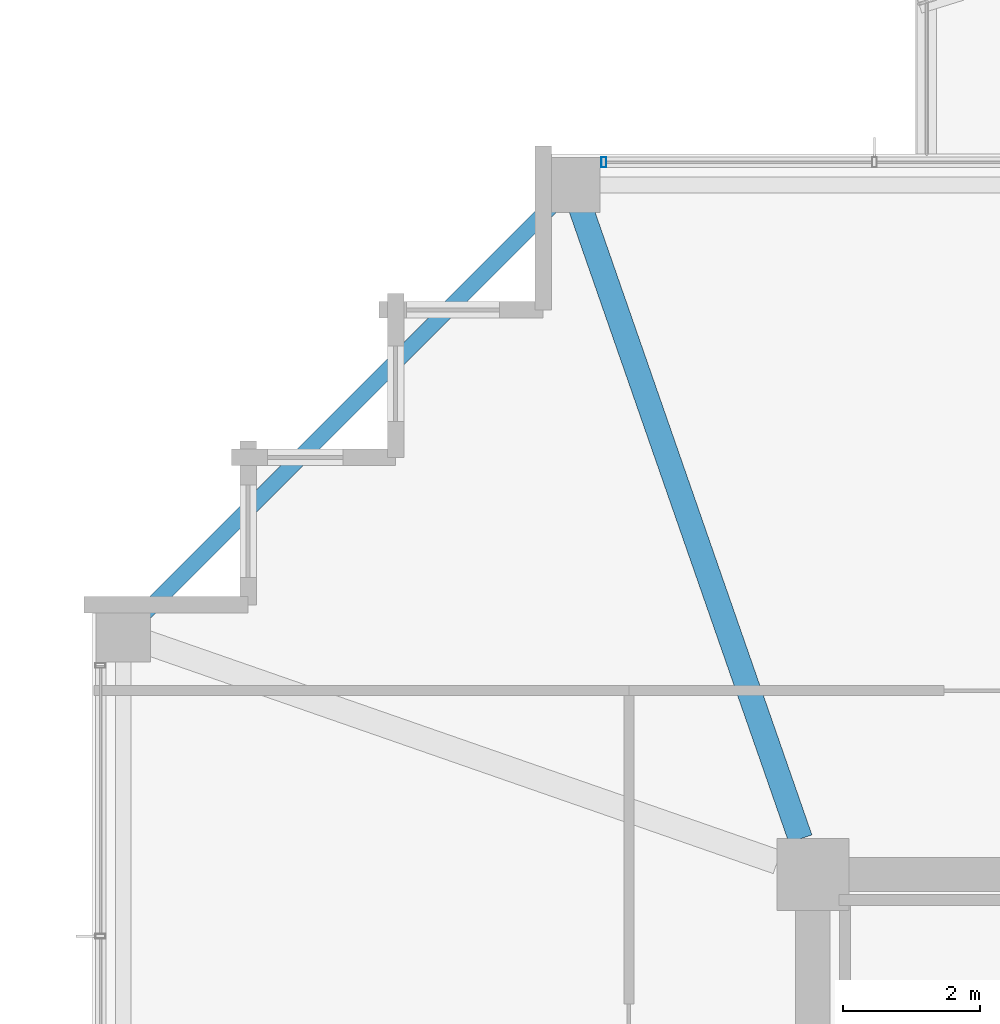
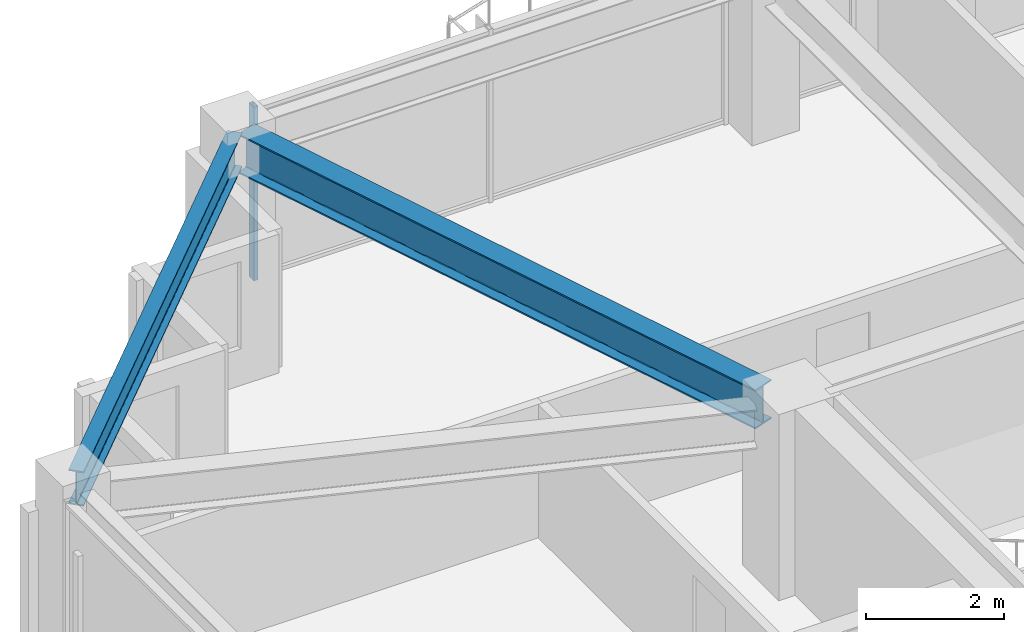
# One storey, part 18 of 38: 2 beams, 1 member, 1 element without a shape of its own.
"""IFC4 building model written with IfcOpenShell, lengths in metres."""

from ifc_helpers import new_model, si_unit, direction, frame, origin, origin_2d, place, context, subcontext, project, spatial, hollow_rectangle, i_section, extrude, material, material_profile, profile_set, type_object, element, aggregate, save


model = new_model("IFC4")

# Units and contexts
model_context = context("Model", 3, precision=1e-05, world=origin(), true_north=direction((0.0, 1.0)))
body_context = subcontext(model_context, "Body", "Model", "MODEL_VIEW")
ifc_project = project(units=[si_unit("LENGTHUNIT", "METRE"), si_unit("AREAUNIT", "SQUARE_METRE"), si_unit("VOLUMEUNIT", "CUBIC_METRE"), si_unit("PLANEANGLEUNIT", "RADIAN"), si_unit("MASSUNIT", "GRAM", prefix="KILO")], contexts=[model_context])

# Site, building, storey
site_placement = place(None, origin())
site = spatial("IfcSite", under=ifc_project, at=site_placement, CompositionType="ELEMENT")
building_placement = place(site_placement, origin())
building = spatial("IfcBuilding", under=site, at=building_placement, Name="Kolvaren Belvedere", CompositionType="ELEMENT")
storey_placement = place(building_placement, frame((0.0, 0.0, 206.39990234375)))
storey = spatial("IfcBuildingStorey", under=building, at=storey_placement, Name="L60", CompositionType="ELEMENT", Elevation=206.39990234375)

# Beams
ifc_material_1 = material(Name="Structural steel ASTM A992 Grade 50", Category="steel")
ifc_material_profile_1 = material_profile(ifc_material_1, i_section(OverallWidth=0.35498046875, OverallDepth=0.696044921875, WebThickness=0.015380859375, FlangeThickness=0.02490234375, FilletRadius=0.02197265625, at=origin_2d()), Name="W27X146")
ifc_profile_set_1 = profile_set([ifc_material_profile_1], Name="Structural steel ASTM A992 Grade 50")
beam_type_1 = type_object("IfcBeamType", Name="BM-GIRD-W27X146", PredefinedType="BEAM", material=ifc_profile_set_1)
beam_1_placement = place(storey_placement, frame((-10.080810546875, 10.41943359375, 2.732177734375), z_axis=(-0.328898147971, 0.944365399758, 0.0), x_axis=(-0.944365399758, -0.328898147971, 0.0)))
element("IfcBeam", 1, at=beam_1_placement, inside=storey, type_object=beam_type_1, Name="L60 Corner Core-to-Perimeter Girder CC4-N1", PredefinedType="BEAM", context=body_context, shape_type="SweptSolid", body=[
    extrude(i_section(OverallWidth=0.35498046875, OverallDepth=0.696044921875, WebThickness=0.015380859375, FlangeThickness=0.02490234375, FilletRadius=0.02197265625, at=origin_2d()), origin(), (0.0, 0.0, 1.0), 9.931884765625),
])
ifc_material_2 = material(Name="Structural steel ASTM A992 Grade 50", Category="steel")
ifc_material_profile_2 = material_profile(ifc_material_2, i_section(OverallWidth=0.22900390625, OverallDepth=0.612060546875, WebThickness=0.011962890625, FlangeThickness=0.01953125, FilletRadius=0.01806640625, at=origin_2d()), Name="W24X84")
ifc_profile_set_2 = profile_set([ifc_material_profile_2], Name="Structural steel ASTM A992 Grade 50")
beam_type_2 = type_object("IfcBeamType", Name="BM-SPAN-W24X84", PredefinedType="SPANDREL", material=ifc_profile_set_2)
beam_2_placement = place(storey_placement, frame((-13.52734375, 19.82275390625, 2.774169921875), z_axis=(-0.707106781187, -0.707106781187, 0.0), x_axis=(0.707106781187, -0.707106781187, 0.0)))
element("IfcBeam", 2, at=beam_2_placement, inside=storey, type_object=beam_type_2, Name="L60 Perimeter Spandrel N1-W4", PredefinedType="SPANDREL", context=body_context, shape_type="SweptSolid", body=[
    extrude(i_section(OverallWidth=0.22900390625, OverallDepth=0.612060546875, WebThickness=0.011962890625, FlangeThickness=0.01953125, FilletRadius=0.01806640625, at=origin_2d()), origin(), (0.0, 0.0, 1.0), 8.903076171875),
])

# Curtain wall, member
ifc_material_3 = material(Name="Anodised pale-metal aluminium AA 6063-T6", Category="aluminium")
curtain_wall_type = type_object("IfcCurtainWallType", Name="CW-Z5-HIGH", PredefinedType="NOTDEFINED", material=ifc_material_3)
curtain_wall_placement = place(storey_placement, origin())
curtain_wall = element("IfcCurtainWall", 3, at=curtain_wall_placement, inside=storey, type_object=curtain_wall_type, Name="L60 Unitised Curtain Wall FCW-L60-N1-B1", PredefinedType="NOTDEFINED")
ifc_material_4 = material(Name="Anodised pale-metal aluminium AA 6063-T6", Category="aluminium")
ifc_material_profile_3 = material_profile(ifc_material_4, hollow_rectangle(XDim=0.070068359375, YDim=0.14990234375, WallThickness=0.004150390625, at=origin_2d()), Name="ALU-MUL-150X70")
ifc_profile_set_3 = profile_set([ifc_material_profile_3], Name="Anodised pale-metal aluminium AA 6063-T6")
member_type = type_object("IfcMemberType", Name="CW-MUL-150", PredefinedType="MULLION", material=ifc_profile_set_3)
member_placement = place(storey_placement, frame((-12.945068359375, 20.280029296875, 0.0), z_axis=(0.0, 0.0, 1.0), x_axis=(1.0, 0.0, 0.0)))
member = element("IfcMember", 4, at=member_placement, type_object=member_type, Name="FCW-L60-N1-B1 Unitised Mullion 1", PredefinedType="MULLION", context=body_context, shape_type="SweptSolid", body=[
    extrude(hollow_rectangle(XDim=0.070068359375, YDim=0.14990234375, WallThickness=0.004150390625, at=origin_2d()), origin(), (0.0, 0.0, 1.0), 3.080078125),
])
aggregate(curtain_wall, [member])

save(model, "model.ifc")
